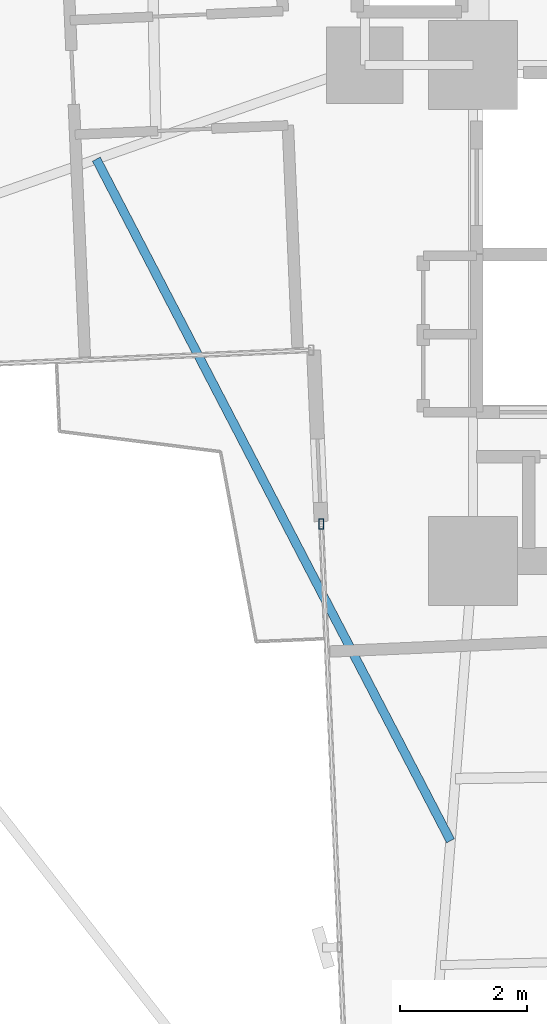
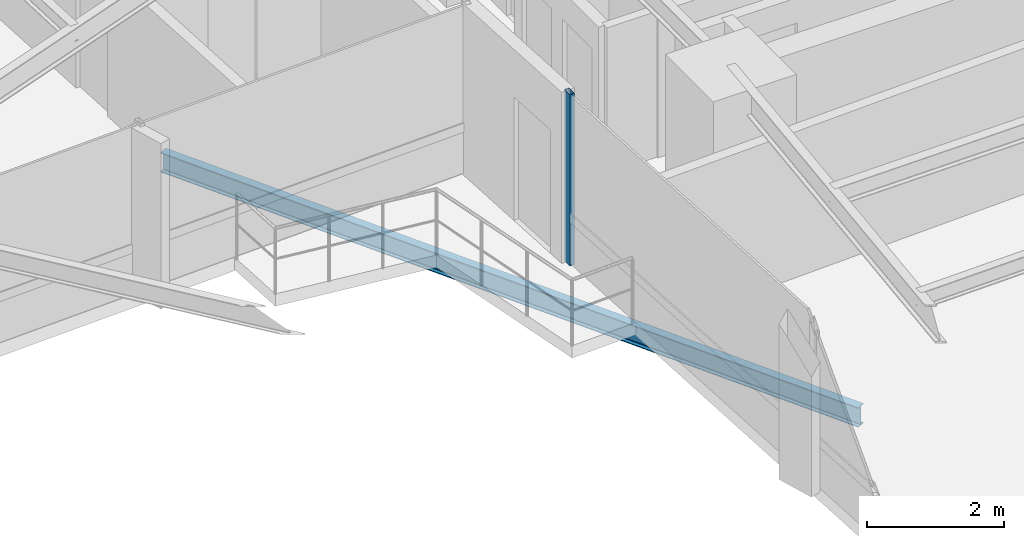
# One storey, part 5 of 27: 1 beam, 1 member, 1 element without a shape of its own.
"""IFC4 building model written with IfcOpenShell, lengths in metres."""

from ifc_helpers import new_model, si_unit, direction, frame, origin, origin_2d, place, context, subcontext, project, spatial, hollow_rectangle, i_section, extrude, source, transform, mapped, material, material_profile, profile_set, type_object, element, aggregate, save


model = new_model("IFC4")

# Units and contexts
model_context = context("Model", 3, precision=1e-05, world=origin(), true_north=direction((0.0, 1.0)))
body_context = subcontext(model_context, "Body", "Model", "MODEL_VIEW")
ifc_project = project(units=[si_unit("LENGTHUNIT", "METRE"), si_unit("AREAUNIT", "SQUARE_METRE"), si_unit("VOLUMEUNIT", "CUBIC_METRE"), si_unit("PLANEANGLEUNIT", "RADIAN"), si_unit("MASSUNIT", "GRAM", prefix="KILO")], contexts=[model_context])

# Site, building, storey
site_placement = place(None, origin())
site = spatial("IfcSite", under=ifc_project, at=site_placement, CompositionType="ELEMENT")
building_placement = place(site_placement, origin())
building = spatial("IfcBuilding", under=site, at=building_placement, Name="Sahyath Konkavel Grand Hotel", CompositionType="ELEMENT")
storey_placement = place(building_placement, frame((0.0, 0.0, 103.60009765625)))
storey = spatial("IfcBuildingStorey", under=building, at=storey_placement, Name="L28", CompositionType="ELEMENT", Elevation=103.60009765625)

# Beam
ifc_material_1 = material(Name="Steel E350", Category="steel")
ifc_material_profile_1 = material_profile(ifc_material_1, i_section(OverallWidth=0.139892578125, OverallDepth=0.35009765625, WebThickness=0.008056640625, FlangeThickness=0.01416015625, FilletRadius=0.013916015625, at=origin_2d()), Name="ISMB 350")
ifc_profile_set_1 = profile_set([ifc_material_profile_1], Name="Steel E350")
beam_type = type_object("IfcBeamType", Name="BM-BALC-CANT", PredefinedType="BEAM", material=ifc_profile_set_1)
shared_shape_1 = source(origin(), body_context, "Body", "SweptSolid", [
    extrude(i_section(OverallWidth=0.139892578125, OverallDepth=0.35009765625, WebThickness=0.008056640625, FlangeThickness=0.01416015625, FilletRadius=0.013916015625, at=origin_2d()), origin(), (0.0, 0.0, 1.0), 12.085205078125),
])
beam_placement = place(storey_placement, frame((-9.7236328125, -3.87890625, -0.4150390625), z_axis=(0.461082384626, -0.887357331962, 0.0), x_axis=(0.887357331962, 0.461082384626, 0.0)))
element("IfcBeam", 1, at=beam_placement, inside=storey, type_object=beam_type, Name="L28 Balcony Cantilever Support Beam SW", PredefinedType="BEAM", context=body_context, shape_type="MappedRepresentation", body=[
    mapped(shared_shape_1, transform((0.0, 0.0, 0.0), scale=1.0)),
])

# Curtain wall, member
ifc_material_2 = material(Name="Anodised Bronze Aluminium & Low-E Glazing", Category="aluminium")
curtain_wall_type = type_object("IfcCurtainWallType", Name="CW-ZONE2", PredefinedType="NOTDEFINED", material=ifc_material_2)
curtain_wall_placement = place(storey_placement, origin())
curtain_wall = element("IfcCurtainWall", 2, at=curtain_wall_placement, inside=storey, type_object=curtain_wall_type, Name="L28 Unitised Curtain Wall F24", PredefinedType="NOTDEFINED")
ifc_material_3 = material(Name="Anodised Bronze Aluminium", Category="aluminium")
ifc_material_profile_2 = material_profile(ifc_material_3, hollow_rectangle(XDim=0.080078125, YDim=0.159912109375, WallThickness=0.006103515625, at=origin_2d()), Name="RHS 160x80x6")
ifc_profile_set_2 = profile_set([ifc_material_profile_2], Name="Anodised Bronze Aluminium")
member_type = type_object("IfcMemberType", Name="CW-MUL-160", PredefinedType="MULLION", material=ifc_profile_set_2)
shared_shape_2 = source(origin(), body_context, "Body", "SweptSolid", [
    extrude(hollow_rectangle(XDim=0.080078125, YDim=0.159912109375, WallThickness=0.006103515625, at=origin_2d()), origin(), (0.0, 0.0, 1.0), 3.0498046875),
])
member_placement = place(storey_placement, frame((-6.186279296875, -9.618896484375, 0.0), z_axis=(0.0, 0.0, 1.0), x_axis=(1.0, 0.0, 0.0)))
member = element("IfcMember", 3, at=member_placement, type_object=member_type, Name="L28 Curtain Wall Mullion F24-0", PredefinedType="MULLION", context=body_context, shape_type="MappedRepresentation", body=[
    mapped(shared_shape_2, transform((0.0, 0.0, 0.0), scale=1.0)),
])
aggregate(curtain_wall, [member])

save(model, "model.ifc")
